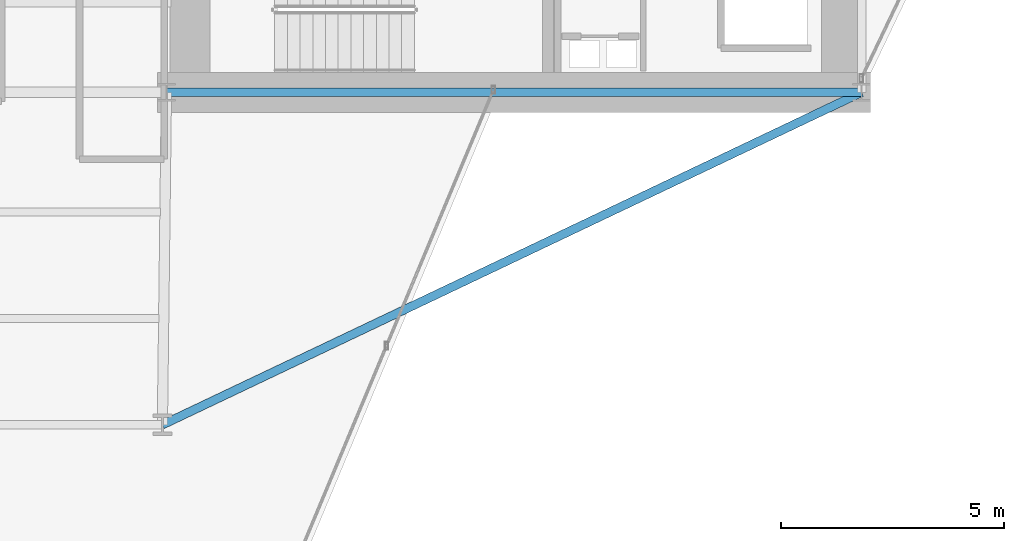
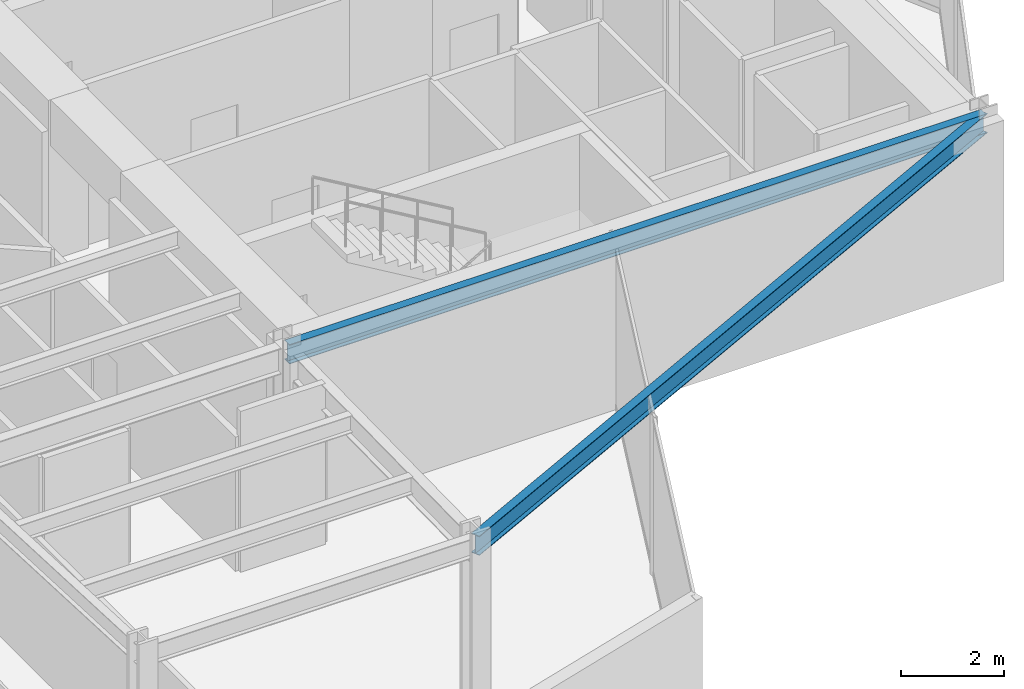
# One storey, part 11 of 25: 2 beams.
"""IFC4 building model written with IfcOpenShell, lengths in metres."""

from ifc_helpers import new_model, si_unit, direction, frame, origin, origin_2d, place, context, subcontext, project, spatial, i_section, extrude, material, material_profile, profile_set, type_object, element, save


model = new_model("IFC4")

# Units and contexts
model_context = context("Model", 3, precision=1e-05, world=origin(), true_north=direction((0.0, 1.0)))
body_context = subcontext(model_context, "Body", "Model", "MODEL_VIEW")
ifc_project = project(units=[si_unit("LENGTHUNIT", "METRE"), si_unit("AREAUNIT", "SQUARE_METRE"), si_unit("VOLUMEUNIT", "CUBIC_METRE"), si_unit("PLANEANGLEUNIT", "RADIAN"), si_unit("MASSUNIT", "GRAM", prefix="KILO")], contexts=[model_context])

# Site, building, storey
site_placement = place(None, origin())
site = spatial("IfcSite", under=ifc_project, at=site_placement, CompositionType="ELEMENT")
building_placement = place(site_placement, origin())
building = spatial("IfcBuilding", under=site, at=building_placement, Name="Veymaron Broadcast Tower", CompositionType="ELEMENT")
storey_placement = place(building_placement, frame((0.0, 0.0, 74.25)))
storey = spatial("IfcBuildingStorey", under=building, at=storey_placement, Name="L16", CompositionType="ELEMENT", Elevation=74.25)

# Beams
ifc_material = material(Name="Structural steel ASTM A992 Gr 50", Category="steel")
ifc_material_profile = material_profile(ifc_material, i_section(OverallWidth=0.19091796875, OverallDepth=0.4599609375, WebThickness=0.010009765625, FlangeThickness=0.01611328125, at=origin_2d()), Name="W460X82")
ifc_profile_set = profile_set([ifc_material_profile], Name="Structural steel ASTM A992 Gr 50")
beam_type = type_object("IfcBeamType", Name="BM-SP1", PredefinedType="SPANDREL", material=ifc_profile_set)
beam_1_placement = place(storey_placement, frame((39.0, 16.0, 3.580078125), z_axis=(1.0, 0.0, 0.0), x_axis=(0.0, 1.0, 0.0)))
element("IfcBeam", 1, at=beam_1_placement, inside=storey, type_object=beam_type, Name="L16 primary structural floor girder", PredefinedType="SPANDREL", context=body_context, shape_type="SweptSolid", body=[
    extrude(i_section(OverallWidth=0.19091796875, OverallDepth=0.4599609375, WebThickness=0.010009765625, FlangeThickness=0.01611328125, at=origin_2d()), origin(), (0.0, 0.0, 1.0), 15.60009765625),
])
beam_2_placement = place(storey_placement, frame((54.60009765625, 16.0, 3.580078125), z_axis=(-0.903118549841, -0.429391295828, 0.0), x_axis=(0.429391295828, -0.903118549841, 0.0)))
element("IfcBeam", 2, at=beam_2_placement, inside=storey, type_object=beam_type, Name="L16 primary structural floor girder", PredefinedType="SPANDREL", context=body_context, shape_type="SweptSolid", body=[
    extrude(i_section(OverallWidth=0.19091796875, OverallDepth=0.4599609375, WebThickness=0.010009765625, FlangeThickness=0.01611328125, at=origin_2d()), origin(), (0.0, 0.0, 1.0), 17.373291015625),
])

save(model, "model.ifc")
